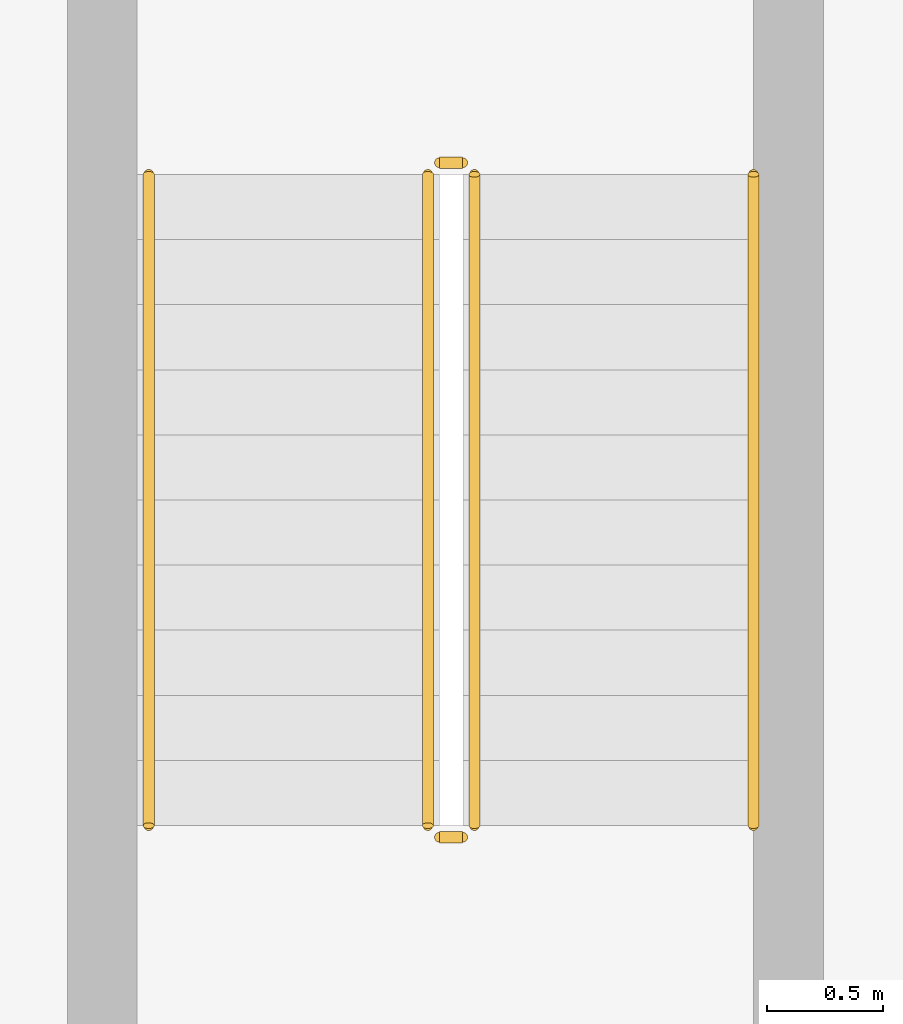
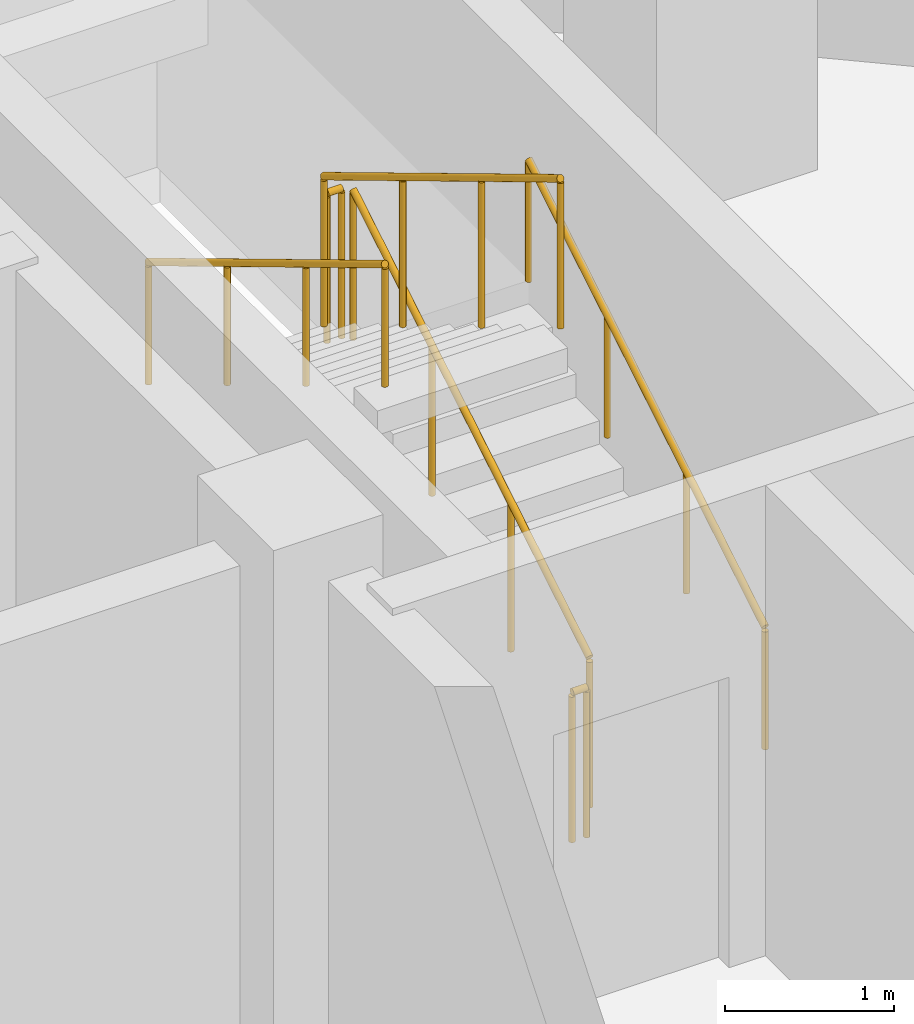
# One storey, part 23 of 23: 6 railings.
"""IFC4 building model written with IfcOpenShell, lengths in metres."""

from ifc_helpers import new_model, si_unit, direction, frame, origin, origin_2d, place, context, subcontext, project, spatial, circle, extrude, material, type_object, element, save


model = new_model("IFC4")

# Units and contexts
model_context = context("Model", 3, precision=1e-05, world=origin(), true_north=direction((0.0, 1.0)))
body_context = subcontext(model_context, "Body", "Model", "MODEL_VIEW")
ifc_project = project(units=[si_unit("LENGTHUNIT", "METRE"), si_unit("AREAUNIT", "SQUARE_METRE"), si_unit("VOLUMEUNIT", "CUBIC_METRE"), si_unit("PLANEANGLEUNIT", "RADIAN"), si_unit("MASSUNIT", "GRAM", prefix="KILO")], contexts=[model_context])

# Site, building, storey
site_placement = place(None, origin())
site = spatial("IfcSite", under=ifc_project, at=site_placement, CompositionType="ELEMENT")
building_placement = place(site_placement, origin())
building = spatial("IfcBuilding", under=site, at=building_placement, Name="Ogive Portal Towers", CompositionType="ELEMENT")
storey_placement = place(building_placement, frame((0.0, 0.0, 149.60009765625)))
storey = spatial("IfcBuildingStorey", under=building, at=storey_placement, Name="L36", CompositionType="ELEMENT", Elevation=149.60009765625)

# Railings
ifc_material_1 = material(Name="Stainless steel balustrade", Category="steel")
railing_type_1 = type_object("IfcRailingType", Name="INT-GUARD", PredefinedType="GUARDRAIL", material=ifc_material_1)
railing_1_placement = place(storey_placement, frame((42.949951171875, 67.199951171875, 0.16796875)))
element("IfcRailing", 1, at=railing_1_placement, inside=storey, type_object=railing_type_1, Name="L36 ST-A3 stair guard 1", PredefinedType="GUARDRAIL", context=body_context, shape_type="SweptSolid", body=[
    extrude(circle(Radius=0.02392578125, at=origin_2d()), frame((0.0, 0.0, 1.076171875), z_axis=(0.0, 0.857242210791, 0.514913383045), x_axis=(-1.0, 0.0, 0.0)), (0.0, 0.0, 1.0), 3.266357421875),
    extrude(circle(Radius=0.02099609375, at=origin_2d()), origin(), (0.0, 0.0, 1.0), 1.052001953125),
    extrude(circle(Radius=0.02099609375, at=origin_2d()), frame((0.0, 0.933349609375, 0.560546875)), (0.0, 0.0, 1.0), 1.052001953125),
    extrude(circle(Radius=0.02099609375, at=origin_2d()), frame((0.0, 1.86669921875, 1.121337890625)), (0.0, 0.0, 1.0), 1.052001953125),
    extrude(circle(Radius=0.02099609375, at=origin_2d()), frame((0.0, 2.800048828125, 1.681884765625)), (0.0, 0.0, 1.0), 1.052001953125),
])
railing_2_placement = place(storey_placement, frame((42.89990234375, 70.050048828125, 1.849853515625)))
element("IfcRailing", 2, at=railing_2_placement, inside=storey, type_object=railing_type_1, Name="L36 ST-A3 stair guard 2", PredefinedType="GUARDRAIL", context=body_context, shape_type="SweptSolid", body=[
    extrude(circle(Radius=0.02392578125, at=origin_2d()), frame((0.0, 0.0, 1.076171875), z_axis=(-1.0, 0.0, 0.0), x_axis=(0.0, -1.0, 0.0)), (0.0, 0.0, 1.0), 0.099853515625),
    extrude(circle(Radius=0.02099609375, at=origin_2d()), origin(), (0.0, 0.0, 1.0), 1.052001953125),
    extrude(circle(Radius=0.02099609375, at=origin_2d()), frame((-0.099853515625, 0.0, 0.0)), (0.0, 0.0, 1.0), 1.052001953125),
])
railing_3_placement = place(storey_placement, frame((42.75, 70.0, 2.01806640625)))
element("IfcRailing", 3, at=railing_3_placement, inside=storey, type_object=railing_type_1, Name="L36 ST-A3 stair guard 3", PredefinedType="GUARDRAIL", context=body_context, shape_type="SweptSolid", body=[
    extrude(circle(Radius=0.02392578125, at=origin_2d()), frame((0.0, 0.0, 1.076171875), z_axis=(0.0, -0.857242210791, 0.514913383045), x_axis=(1.0, 0.0, 0.0)), (0.0, 0.0, 1.0), 3.266357421875),
    extrude(circle(Radius=0.02099609375, at=origin_2d()), origin(), (0.0, 0.0, 1.0), 1.052001953125),
    extrude(circle(Radius=0.02099609375, at=origin_2d()), frame((0.0, -0.933349609375, 0.560546875)), (0.0, 0.0, 1.0), 1.052001953125),
    extrude(circle(Radius=0.02099609375, at=origin_2d()), frame((0.0, -1.86669921875, 1.121337890625)), (0.0, 0.0, 1.0), 1.052001953125),
    extrude(circle(Radius=0.02099609375, at=origin_2d()), frame((0.0, -2.800048828125, 1.681884765625)), (0.0, 0.0, 1.0), 1.052001953125),
])
railing_4_placement = place(storey_placement, frame((42.89990234375, 67.14990234375, 0.0)))
element("IfcRailing", 4, at=railing_4_placement, inside=storey, type_object=railing_type_1, Name="L36 ST-A3 stair guard 4", PredefinedType="GUARDRAIL", context=body_context, shape_type="SweptSolid", body=[
    extrude(circle(Radius=0.02392578125, at=origin_2d()), frame((0.0, 0.0, 1.076171875), z_axis=(-1.0, 0.0, 0.0), x_axis=(0.0, -1.0, 0.0)), (0.0, 0.0, 1.0), 0.099853515625),
    extrude(circle(Radius=0.02099609375, at=origin_2d()), origin(), (0.0, 0.0, 1.0), 1.052001953125),
    extrude(circle(Radius=0.02099609375, at=origin_2d()), frame((-0.099853515625, 0.0, 0.0)), (0.0, 0.0, 1.0), 1.052001953125),
])
ifc_material_2 = material(Name="Stainless steel handrail", Category="steel")
railing_type_2 = type_object("IfcRailingType", Name="INT-HANDRAIL", PredefinedType="HANDRAIL", material=ifc_material_2)
railing_5_placement = place(storey_placement, frame((44.14990234375, 67.199951171875, 0.16796875)))
element("IfcRailing", 5, at=railing_5_placement, inside=storey, type_object=railing_type_2, Name="L36 ST-A3 stair handrail 1", PredefinedType="HANDRAIL", context=body_context, shape_type="SweptSolid", body=[
    extrude(circle(Radius=0.02392578125, at=origin_2d()), frame((0.0, 0.0, 0.8759765625), z_axis=(0.0, 0.857242210791, 0.514913383045), x_axis=(-1.0, 0.0, 0.0)), (0.0, 0.0, 1.0), 3.266357421875),
    extrude(circle(Radius=0.02099609375, at=origin_2d()), origin(), (0.0, 0.0, 1.0), 0.851806640625),
    extrude(circle(Radius=0.02099609375, at=origin_2d()), frame((0.0, 0.933349609375, 0.560546875)), (0.0, 0.0, 1.0), 0.851806640625),
    extrude(circle(Radius=0.02099609375, at=origin_2d()), frame((0.0, 1.86669921875, 1.121337890625)), (0.0, 0.0, 1.0), 0.851806640625),
    extrude(circle(Radius=0.02099609375, at=origin_2d()), frame((0.0, 2.800048828125, 1.681884765625)), (0.0, 0.0, 1.0), 0.851806640625),
])
railing_6_placement = place(storey_placement, frame((41.550048828125, 70.0, 2.01806640625)))
element("IfcRailing", 6, at=railing_6_placement, inside=storey, type_object=railing_type_2, Name="L36 ST-A3 stair handrail 2", PredefinedType="HANDRAIL", context=body_context, shape_type="SweptSolid", body=[
    extrude(circle(Radius=0.02392578125, at=origin_2d()), frame((0.0, 0.0, 0.8759765625), z_axis=(0.0, -0.857242210791, 0.514913383045), x_axis=(1.0, 0.0, 0.0)), (0.0, 0.0, 1.0), 3.266357421875),
    extrude(circle(Radius=0.02099609375, at=origin_2d()), origin(), (0.0, 0.0, 1.0), 0.851806640625),
    extrude(circle(Radius=0.02099609375, at=origin_2d()), frame((0.0, -0.933349609375, 0.560546875)), (0.0, 0.0, 1.0), 0.851806640625),
    extrude(circle(Radius=0.02099609375, at=origin_2d()), frame((0.0, -1.86669921875, 1.121337890625)), (0.0, 0.0, 1.0), 0.851806640625),
    extrude(circle(Radius=0.02099609375, at=origin_2d()), frame((0.0, -2.800048828125, 1.681884765625)), (0.0, 0.0, 1.0), 0.851806640625),
])

save(model, "model.ifc")
